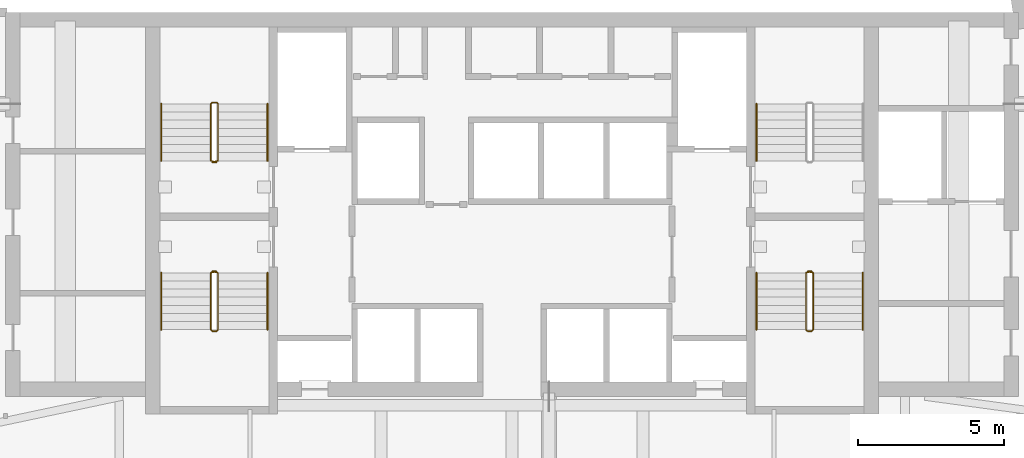
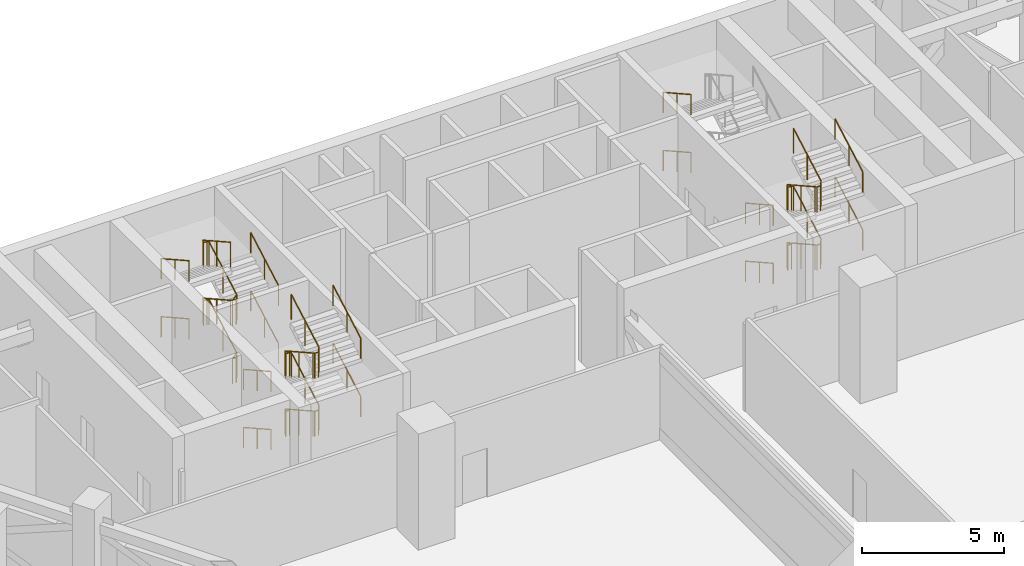
# One storey, part 19 of 20: 17 railings.
"""IFC4 building model written with IfcOpenShell, lengths in metres."""

from ifc_helpers import new_model, si_unit, direction, frame, origin, origin_2d, place, context, subcontext, project, spatial, circle, extrude, material, type_object, element, save


model = new_model("IFC4")

# Units and contexts
model_context = context("Model", 3, precision=1e-05, world=origin(), true_north=direction((0.0, 1.0)))
body_context = subcontext(model_context, "Body", "Model", "MODEL_VIEW")
ifc_project = project(units=[si_unit("LENGTHUNIT", "METRE"), si_unit("AREAUNIT", "SQUARE_METRE"), si_unit("VOLUMEUNIT", "CUBIC_METRE"), si_unit("PLANEANGLEUNIT", "RADIAN"), si_unit("MASSUNIT", "GRAM", prefix="KILO")], contexts=[model_context])

# Site, building, storey
site_placement = place(None, origin())
site = spatial("IfcSite", under=ifc_project, at=site_placement, CompositionType="ELEMENT")
building_placement = place(site_placement, origin())
building = spatial("IfcBuilding", under=site, at=building_placement, Name="Calabash Gate Tower", CompositionType="ELEMENT")
storey_placement = place(building_placement, frame((0.0, 0.0, 139.60009765625)))
storey = spatial("IfcBuildingStorey", under=building, at=storey_placement, Name="L32", CompositionType="ELEMENT", Elevation=139.60009765625)

# Railings
ifc_material_1 = material(Name="Black powder-coated steel balusters", Category="steel")
railing_type_1 = type_object("IfcRailingType", Name="Stair guard RL1100", PredefinedType="GUARDRAIL", material=ifc_material_1)
railing_1_placement = place(storey_placement, frame((-10.14990234375, 13.902587890625, 0.0)))
element("IfcRailing", 1, at=railing_1_placement, inside=storey, type_object=railing_type_1, Name="L32 ST1 stair guard 1", PredefinedType="GUARDRAIL", context=body_context, shape_type="SweptSolid", body=[
    extrude(circle(Radius=0.02392578125, at=origin_2d()), frame((0.0, 0.0, 1.076171875), z_axis=(-1.0, 0.0, 0.0), x_axis=(0.0, -1.0, 0.0)), (0.0, 0.0, 1.0), 0.150146484375),
    extrude(circle(Radius=0.02392578125, at=origin_2d()), frame((-0.150146484375, 0.0, 1.076171875), z_axis=(0.77305925043, 0.19350078918, 0.604100024756), x_axis=(-0.242814311512, 0.970072785993, 0.0)), (0.0, 0.0, 1.0), 0.258544921875),
    extrude(circle(Radius=0.02392578125, at=origin_2d()), frame((0.0498046875, 0.050048828125, 1.232421875), z_axis=(0.0, 0.872479975208, 0.48864986735), x_axis=(-1.0, 0.0, 0.0)), (0.0, 0.0, 1.0), 2.23828125),
    extrude(circle(Radius=0.02392578125, at=origin_2d()), frame((0.0498046875, 2.0029296875, 2.326171875), z_axis=(-0.705375805398, 0.708833529934, 0.0), x_axis=(-0.708833529934, -0.705375805398, 0.0)), (0.0, 0.0, 1.0), 0.070556640625),
    extrude(circle(Radius=0.02392578125, at=origin_2d()), frame((0.0, 2.052978515625, 2.326171875), z_axis=(-1.0, 0.0, 0.0), x_axis=(0.0, -1.0, 0.0)), (0.0, 0.0, 1.0), 0.150146484375),
    extrude(circle(Radius=0.02392578125, at=origin_2d()), frame((-0.150146484375, 2.052978515625, 2.326171875), z_axis=(-0.29177245553, -0.29177245553, 0.91089937336), x_axis=(0.707106781187, -0.707106781187, 0.0)), (0.0, 0.0, 1.0), 0.171630859375),
    extrude(circle(Radius=0.02392578125, at=origin_2d()), frame((-0.2001953125, 2.0029296875, 2.482421875), z_axis=(0.0, -0.872479975208, 0.48864986735), x_axis=(1.0, 0.0, 0.0)), (0.0, 0.0, 1.0), 2.23828125),
    extrude(circle(Radius=0.02392578125, at=origin_2d()), frame((-0.2001953125, 0.050048828125, 3.576171875), z_axis=(0.970142500145, -0.242535625036, 0.0), x_axis=(0.242535625036, 0.970142500145, 0.0)), (0.0, 0.0, 1.0), 0.206298828125),
    extrude(circle(Radius=0.02392578125, at=origin_2d()), frame((0.0, 0.0, 3.576171875), z_axis=(-1.0, 0.0, 0.0), x_axis=(0.0, -1.0, 0.0)), (0.0, 0.0, 1.0), 0.150146484375),
    extrude(circle(Radius=0.02392578125, at=origin_2d()), frame((-0.150146484375, 0.0, 3.576171875), z_axis=(0.77305925043, 0.19350078918, 0.604100024756), x_axis=(-0.242814311512, 0.970072785993, 0.0)), (0.0, 0.0, 1.0), 0.258544921875),
    extrude(circle(Radius=0.02392578125, at=origin_2d()), frame((0.0498046875, 0.050048828125, 3.732421875), z_axis=(0.0, 0.872479975208, 0.48864986735), x_axis=(-1.0, 0.0, 0.0)), (0.0, 0.0, 1.0), 2.23828125),
    extrude(circle(Radius=0.02392578125, at=origin_2d()), frame((0.0498046875, 2.0029296875, 4.826171875), z_axis=(-0.705375805398, 0.708833529934, 0.0), x_axis=(-0.708833529934, -0.705375805398, 0.0)), (0.0, 0.0, 1.0), 0.070556640625),
    extrude(circle(Radius=0.02392578125, at=origin_2d()), frame((0.0, 2.052978515625, 4.826171875), z_axis=(-1.0, 0.0, 0.0), x_axis=(0.0, -1.0, 0.0)), (0.0, 0.0, 1.0), 0.150146484375),
    extrude(circle(Radius=0.02392578125, at=origin_2d()), frame((-0.150146484375, 2.052978515625, 4.826171875), z_axis=(-0.29177245553, -0.29177245553, 0.91089937336), x_axis=(0.707106781187, -0.707106781187, 0.0)), (0.0, 0.0, 1.0), 0.171630859375),
    extrude(circle(Radius=0.02392578125, at=origin_2d()), frame((-0.2001953125, 2.0029296875, 4.982421875), z_axis=(0.0, -0.872479975208, 0.48864986735), x_axis=(1.0, 0.0, 0.0)), (0.0, 0.0, 1.0), 2.23828125),
    extrude(circle(Radius=0.02099609375, at=origin_2d()), origin(), (0.0, 0.0, 1.0), 1.052001953125),
    extrude(circle(Radius=0.02099609375, at=origin_2d()), frame((-0.150146484375, 0.0, 0.0)), (0.0, 0.0, 1.0), 1.052001953125),
    extrude(circle(Radius=0.02099609375, at=origin_2d()), frame((0.0498046875, 0.050048828125, 0.15625)), (0.0, 0.0, 1.0), 1.052001953125),
    extrude(circle(Radius=0.02099609375, at=origin_2d()), frame((0.0498046875, 1.0263671875, 0.703125)), (0.0, 0.0, 1.0), 1.052001953125),
    extrude(circle(Radius=0.02099609375, at=origin_2d()), frame((0.0498046875, 2.0029296875, 1.25)), (0.0, 0.0, 1.0), 1.052001953125),
    extrude(circle(Radius=0.02099609375, at=origin_2d()), frame((0.0, 2.052978515625, 1.25)), (0.0, 0.0, 1.0), 1.052001953125),
    extrude(circle(Radius=0.02099609375, at=origin_2d()), frame((-0.150146484375, 2.052978515625, 1.25)), (0.0, 0.0, 1.0), 1.052001953125),
    extrude(circle(Radius=0.02099609375, at=origin_2d()), frame((-0.2001953125, 2.0029296875, 1.40625)), (0.0, 0.0, 1.0), 1.052001953125),
    extrude(circle(Radius=0.02099609375, at=origin_2d()), frame((-0.2001953125, 1.0263671875, 1.953125)), (0.0, 0.0, 1.0), 1.052001953125),
    extrude(circle(Radius=0.02099609375, at=origin_2d()), frame((-0.2001953125, 0.050048828125, 2.5)), (0.0, 0.0, 1.0), 1.052001953125),
    extrude(circle(Radius=0.02099609375, at=origin_2d()), frame((0.0, 0.0, 2.5)), (0.0, 0.0, 1.0), 1.052001953125),
    extrude(circle(Radius=0.02099609375, at=origin_2d()), frame((-0.150146484375, 0.0, 2.5)), (0.0, 0.0, 1.0), 1.052001953125),
    extrude(circle(Radius=0.02099609375, at=origin_2d()), frame((0.0498046875, 0.050048828125, 2.65625)), (0.0, 0.0, 1.0), 1.052001953125),
    extrude(circle(Radius=0.02099609375, at=origin_2d()), frame((0.0498046875, 1.0263671875, 3.203125)), (0.0, 0.0, 1.0), 1.052001953125),
    extrude(circle(Radius=0.02099609375, at=origin_2d()), frame((0.0498046875, 2.0029296875, 3.75)), (0.0, 0.0, 1.0), 1.052001953125),
    extrude(circle(Radius=0.02099609375, at=origin_2d()), frame((0.0, 2.052978515625, 3.75)), (0.0, 0.0, 1.0), 1.052001953125),
    extrude(circle(Radius=0.02099609375, at=origin_2d()), frame((-0.150146484375, 2.052978515625, 3.75)), (0.0, 0.0, 1.0), 1.052001953125),
    extrude(circle(Radius=0.02099609375, at=origin_2d()), frame((-0.2001953125, 2.0029296875, 3.90625)), (0.0, 0.0, 1.0), 1.052001953125),
    extrude(circle(Radius=0.02099609375, at=origin_2d()), frame((-0.2001953125, 1.0263671875, 4.453125)), (0.0, 0.0, 1.0), 1.052001953125),
    extrude(circle(Radius=0.02099609375, at=origin_2d()), frame((-0.2001953125, 0.050048828125, 5.0)), (0.0, 0.0, 1.0), 1.052001953125),
])
railing_2_placement = place(storey_placement, frame((-10.300048828125, 10.152587890625, 0.0)))
element("IfcRailing", 2, at=railing_2_placement, inside=storey, type_object=railing_type_1, Name="L32 ST2 stair guard 1", PredefinedType="GUARDRAIL", context=body_context, shape_type="SweptSolid", body=[
    extrude(circle(Radius=0.02392578125, at=origin_2d()), frame((0.0, 0.0, 1.076171875), z_axis=(1.0, 0.0, 0.0), x_axis=(0.0, 1.0, 0.0)), (0.0, 0.0, 1.0), 0.150146484375),
    extrude(circle(Radius=0.02392578125, at=origin_2d()), frame((0.150146484375, 0.0, 1.076171875), z_axis=(-0.773438643492, -0.193359660873, 0.603659429067), x_axis=(0.242535625036, -0.970142500145, 0.0)), (0.0, 0.0, 1.0), 0.2587890625),
    extrude(circle(Radius=0.02392578125, at=origin_2d()), frame((-0.050048828125, -0.050048828125, 1.232421875), z_axis=(0.0, -0.872479975208, 0.48864986735), x_axis=(1.0, 0.0, 0.0)), (0.0, 0.0, 1.0), 2.23828125),
    extrude(circle(Radius=0.02392578125, at=origin_2d()), frame((-0.050048828125, -2.0029296875, 2.326171875), z_axis=(0.707106781187, -0.707106781187, 0.0), x_axis=(0.707106781187, 0.707106781187, 0.0)), (0.0, 0.0, 1.0), 0.07080078125),
    extrude(circle(Radius=0.02392578125, at=origin_2d()), frame((0.0, -2.052978515625, 2.326171875), z_axis=(1.0, 0.0, 0.0), x_axis=(0.0, 1.0, 0.0)), (0.0, 0.0, 1.0), 0.150146484375),
    extrude(circle(Radius=0.02392578125, at=origin_2d()), frame((0.150146484375, -2.052978515625, 2.326171875), z_axis=(0.290469530425, 0.291893400672, 0.911276958196), x_axis=(-0.708833529934, 0.705375805398, 0.0)), (0.0, 0.0, 1.0), 0.17138671875),
    extrude(circle(Radius=0.02392578125, at=origin_2d()), frame((0.199951171875, -2.0029296875, 2.482421875), z_axis=(0.0, 0.872479975208, 0.48864986735), x_axis=(-1.0, 0.0, 0.0)), (0.0, 0.0, 1.0), 2.23828125),
    extrude(circle(Radius=0.02392578125, at=origin_2d()), frame((0.199951171875, -0.050048828125, 3.576171875), z_axis=(-0.970072785993, 0.242814311512, 0.0), x_axis=(-0.242814311512, -0.970072785993, 0.0)), (0.0, 0.0, 1.0), 0.2060546875),
    extrude(circle(Radius=0.02392578125, at=origin_2d()), frame((0.0, 0.0, 3.576171875), z_axis=(1.0, 0.0, 0.0), x_axis=(0.0, 1.0, 0.0)), (0.0, 0.0, 1.0), 0.150146484375),
    extrude(circle(Radius=0.02392578125, at=origin_2d()), frame((0.150146484375, 0.0, 3.576171875), z_axis=(-0.773438643492, -0.193359660873, 0.603659429067), x_axis=(0.242535625036, -0.970142500145, 0.0)), (0.0, 0.0, 1.0), 0.2587890625),
    extrude(circle(Radius=0.02392578125, at=origin_2d()), frame((-0.050048828125, -0.050048828125, 3.732421875), z_axis=(0.0, -0.872479975208, 0.48864986735), x_axis=(1.0, 0.0, 0.0)), (0.0, 0.0, 1.0), 2.23828125),
    extrude(circle(Radius=0.02392578125, at=origin_2d()), frame((-0.050048828125, -2.0029296875, 4.826171875), z_axis=(0.707106781187, -0.707106781187, 0.0), x_axis=(0.707106781187, 0.707106781187, 0.0)), (0.0, 0.0, 1.0), 0.07080078125),
    extrude(circle(Radius=0.02392578125, at=origin_2d()), frame((0.0, -2.052978515625, 4.826171875), z_axis=(1.0, 0.0, 0.0), x_axis=(0.0, 1.0, 0.0)), (0.0, 0.0, 1.0), 0.150146484375),
    extrude(circle(Radius=0.02392578125, at=origin_2d()), frame((0.150146484375, -2.052978515625, 4.826171875), z_axis=(0.290469530425, 0.291893400672, 0.911276958196), x_axis=(-0.708833529934, 0.705375805398, 0.0)), (0.0, 0.0, 1.0), 0.17138671875),
    extrude(circle(Radius=0.02392578125, at=origin_2d()), frame((0.199951171875, -2.0029296875, 4.982421875), z_axis=(0.0, 0.872479975208, 0.48864986735), x_axis=(-1.0, 0.0, 0.0)), (0.0, 0.0, 1.0), 2.23828125),
    extrude(circle(Radius=0.02099609375, at=origin_2d()), origin(), (0.0, 0.0, 1.0), 1.052001953125),
    extrude(circle(Radius=0.02099609375, at=origin_2d()), frame((0.150146484375, 0.0, 0.0)), (0.0, 0.0, 1.0), 1.052001953125),
    extrude(circle(Radius=0.02099609375, at=origin_2d()), frame((-0.050048828125, -0.050048828125, 0.15625)), (0.0, 0.0, 1.0), 1.052001953125),
    extrude(circle(Radius=0.02099609375, at=origin_2d()), frame((-0.050048828125, -1.0263671875, 0.703125)), (0.0, 0.0, 1.0), 1.052001953125),
    extrude(circle(Radius=0.02099609375, at=origin_2d()), frame((-0.050048828125, -2.0029296875, 1.25)), (0.0, 0.0, 1.0), 1.052001953125),
    extrude(circle(Radius=0.02099609375, at=origin_2d()), frame((0.0, -2.052978515625, 1.25)), (0.0, 0.0, 1.0), 1.052001953125),
    extrude(circle(Radius=0.02099609375, at=origin_2d()), frame((0.150146484375, -2.052978515625, 1.25)), (0.0, 0.0, 1.0), 1.052001953125),
    extrude(circle(Radius=0.02099609375, at=origin_2d()), frame((0.199951171875, -2.0029296875, 1.40625)), (0.0, 0.0, 1.0), 1.052001953125),
    extrude(circle(Radius=0.02099609375, at=origin_2d()), frame((0.199951171875, -1.0263671875, 1.953125)), (0.0, 0.0, 1.0), 1.052001953125),
    extrude(circle(Radius=0.02099609375, at=origin_2d()), frame((0.199951171875, -0.050048828125, 2.5)), (0.0, 0.0, 1.0), 1.052001953125),
    extrude(circle(Radius=0.02099609375, at=origin_2d()), frame((0.0, 0.0, 2.5)), (0.0, 0.0, 1.0), 1.052001953125),
    extrude(circle(Radius=0.02099609375, at=origin_2d()), frame((0.150146484375, 0.0, 2.5)), (0.0, 0.0, 1.0), 1.052001953125),
    extrude(circle(Radius=0.02099609375, at=origin_2d()), frame((-0.050048828125, -0.050048828125, 2.65625)), (0.0, 0.0, 1.0), 1.052001953125),
    extrude(circle(Radius=0.02099609375, at=origin_2d()), frame((-0.050048828125, -1.0263671875, 3.203125)), (0.0, 0.0, 1.0), 1.052001953125),
    extrude(circle(Radius=0.02099609375, at=origin_2d()), frame((-0.050048828125, -2.0029296875, 3.75)), (0.0, 0.0, 1.0), 1.052001953125),
    extrude(circle(Radius=0.02099609375, at=origin_2d()), frame((0.0, -2.052978515625, 3.75)), (0.0, 0.0, 1.0), 1.052001953125),
    extrude(circle(Radius=0.02099609375, at=origin_2d()), frame((0.150146484375, -2.052978515625, 3.75)), (0.0, 0.0, 1.0), 1.052001953125),
    extrude(circle(Radius=0.02099609375, at=origin_2d()), frame((0.199951171875, -2.0029296875, 3.90625)), (0.0, 0.0, 1.0), 1.052001953125),
    extrude(circle(Radius=0.02099609375, at=origin_2d()), frame((0.199951171875, -1.0263671875, 4.453125)), (0.0, 0.0, 1.0), 1.052001953125),
    extrude(circle(Radius=0.02099609375, at=origin_2d()), frame((0.199951171875, -0.050048828125, 5.0)), (0.0, 0.0, 1.0), 1.052001953125),
])
railing_3_placement = place(storey_placement, frame((10.14990234375, 10.152587890625, 0.0)))
element("IfcRailing", 3, at=railing_3_placement, inside=storey, type_object=railing_type_1, Name="L32 ST4 stair guard 1", PredefinedType="GUARDRAIL", context=body_context, shape_type="SweptSolid", body=[
    extrude(circle(Radius=0.02392578125, at=origin_2d()), frame((0.0, 0.0, 1.076171875), z_axis=(1.0, 0.0, 0.0), x_axis=(0.0, 1.0, 0.0)), (0.0, 0.0, 1.0), 0.150146484375),
    extrude(circle(Radius=0.02392578125, at=origin_2d()), frame((0.150146484375, 0.0, 1.076171875), z_axis=(-0.77305925043, -0.19350078918, 0.604100024756), x_axis=(0.242814311512, -0.970072785993, 0.0)), (0.0, 0.0, 1.0), 0.258544921875),
    extrude(circle(Radius=0.02392578125, at=origin_2d()), frame((-0.0498046875, -0.050048828125, 1.232421875), z_axis=(0.0, -0.872479975208, 0.48864986735), x_axis=(1.0, 0.0, 0.0)), (0.0, 0.0, 1.0), 2.23828125),
    extrude(circle(Radius=0.02392578125, at=origin_2d()), frame((-0.0498046875, -2.0029296875, 2.326171875), z_axis=(0.705375805398, -0.708833529934, 0.0), x_axis=(0.708833529934, 0.705375805398, 0.0)), (0.0, 0.0, 1.0), 0.070556640625),
    extrude(circle(Radius=0.02392578125, at=origin_2d()), frame((0.0, -2.052978515625, 2.326171875), z_axis=(1.0, 0.0, 0.0), x_axis=(0.0, 1.0, 0.0)), (0.0, 0.0, 1.0), 0.150146484375),
    extrude(circle(Radius=0.02392578125, at=origin_2d()), frame((0.150146484375, -2.052978515625, 2.326171875), z_axis=(0.29177245553, 0.29177245553, 0.91089937336), x_axis=(-0.707106781187, 0.707106781187, 0.0)), (0.0, 0.0, 1.0), 0.171630859375),
    extrude(circle(Radius=0.02392578125, at=origin_2d()), frame((0.2001953125, -2.0029296875, 2.482421875), z_axis=(0.0, 0.872479975208, 0.48864986735), x_axis=(-1.0, 0.0, 0.0)), (0.0, 0.0, 1.0), 2.23828125),
    extrude(circle(Radius=0.02392578125, at=origin_2d()), frame((0.2001953125, -0.050048828125, 3.576171875), z_axis=(-0.970142500145, 0.242535625036, 0.0), x_axis=(-0.242535625036, -0.970142500145, 0.0)), (0.0, 0.0, 1.0), 0.206298828125),
    extrude(circle(Radius=0.02392578125, at=origin_2d()), frame((0.0, 0.0, 3.576171875), z_axis=(1.0, 0.0, 0.0), x_axis=(0.0, 1.0, 0.0)), (0.0, 0.0, 1.0), 0.150146484375),
    extrude(circle(Radius=0.02392578125, at=origin_2d()), frame((0.150146484375, 0.0, 3.576171875), z_axis=(-0.77305925043, -0.19350078918, 0.604100024756), x_axis=(0.242814311512, -0.970072785993, 0.0)), (0.0, 0.0, 1.0), 0.258544921875),
    extrude(circle(Radius=0.02392578125, at=origin_2d()), frame((-0.0498046875, -0.050048828125, 3.732421875), z_axis=(0.0, -0.872479975208, 0.48864986735), x_axis=(1.0, 0.0, 0.0)), (0.0, 0.0, 1.0), 2.23828125),
    extrude(circle(Radius=0.02392578125, at=origin_2d()), frame((-0.0498046875, -2.0029296875, 4.826171875), z_axis=(0.705375805398, -0.708833529934, 0.0), x_axis=(0.708833529934, 0.705375805398, 0.0)), (0.0, 0.0, 1.0), 0.070556640625),
    extrude(circle(Radius=0.02392578125, at=origin_2d()), frame((0.0, -2.052978515625, 4.826171875), z_axis=(1.0, 0.0, 0.0), x_axis=(0.0, 1.0, 0.0)), (0.0, 0.0, 1.0), 0.150146484375),
    extrude(circle(Radius=0.02392578125, at=origin_2d()), frame((0.150146484375, -2.052978515625, 4.826171875), z_axis=(0.29177245553, 0.29177245553, 0.91089937336), x_axis=(-0.707106781187, 0.707106781187, 0.0)), (0.0, 0.0, 1.0), 0.171630859375),
    extrude(circle(Radius=0.02392578125, at=origin_2d()), frame((0.2001953125, -2.0029296875, 4.982421875), z_axis=(0.0, 0.872479975208, 0.48864986735), x_axis=(-1.0, 0.0, 0.0)), (0.0, 0.0, 1.0), 2.23828125),
    extrude(circle(Radius=0.02099609375, at=origin_2d()), origin(), (0.0, 0.0, 1.0), 1.052001953125),
    extrude(circle(Radius=0.02099609375, at=origin_2d()), frame((0.150146484375, 0.0, 0.0)), (0.0, 0.0, 1.0), 1.052001953125),
    extrude(circle(Radius=0.02099609375, at=origin_2d()), frame((-0.0498046875, -0.050048828125, 0.15625)), (0.0, 0.0, 1.0), 1.052001953125),
    extrude(circle(Radius=0.02099609375, at=origin_2d()), frame((-0.0498046875, -1.0263671875, 0.703125)), (0.0, 0.0, 1.0), 1.052001953125),
    extrude(circle(Radius=0.02099609375, at=origin_2d()), frame((-0.0498046875, -2.0029296875, 1.25)), (0.0, 0.0, 1.0), 1.052001953125),
    extrude(circle(Radius=0.02099609375, at=origin_2d()), frame((0.0, -2.052978515625, 1.25)), (0.0, 0.0, 1.0), 1.052001953125),
    extrude(circle(Radius=0.02099609375, at=origin_2d()), frame((0.150146484375, -2.052978515625, 1.25)), (0.0, 0.0, 1.0), 1.052001953125),
    extrude(circle(Radius=0.02099609375, at=origin_2d()), frame((0.2001953125, -2.0029296875, 1.40625)), (0.0, 0.0, 1.0), 1.052001953125),
    extrude(circle(Radius=0.02099609375, at=origin_2d()), frame((0.2001953125, -1.0263671875, 1.953125)), (0.0, 0.0, 1.0), 1.052001953125),
    extrude(circle(Radius=0.02099609375, at=origin_2d()), frame((0.2001953125, -0.050048828125, 2.5)), (0.0, 0.0, 1.0), 1.052001953125),
    extrude(circle(Radius=0.02099609375, at=origin_2d()), frame((0.0, 0.0, 2.5)), (0.0, 0.0, 1.0), 1.052001953125),
    extrude(circle(Radius=0.02099609375, at=origin_2d()), frame((0.150146484375, 0.0, 2.5)), (0.0, 0.0, 1.0), 1.052001953125),
    extrude(circle(Radius=0.02099609375, at=origin_2d()), frame((-0.0498046875, -0.050048828125, 2.65625)), (0.0, 0.0, 1.0), 1.052001953125),
    extrude(circle(Radius=0.02099609375, at=origin_2d()), frame((-0.0498046875, -1.0263671875, 3.203125)), (0.0, 0.0, 1.0), 1.052001953125),
    extrude(circle(Radius=0.02099609375, at=origin_2d()), frame((-0.0498046875, -2.0029296875, 3.75)), (0.0, 0.0, 1.0), 1.052001953125),
    extrude(circle(Radius=0.02099609375, at=origin_2d()), frame((0.0, -2.052978515625, 3.75)), (0.0, 0.0, 1.0), 1.052001953125),
    extrude(circle(Radius=0.02099609375, at=origin_2d()), frame((0.150146484375, -2.052978515625, 3.75)), (0.0, 0.0, 1.0), 1.052001953125),
    extrude(circle(Radius=0.02099609375, at=origin_2d()), frame((0.2001953125, -2.0029296875, 3.90625)), (0.0, 0.0, 1.0), 1.052001953125),
    extrude(circle(Radius=0.02099609375, at=origin_2d()), frame((0.2001953125, -1.0263671875, 4.453125)), (0.0, 0.0, 1.0), 1.052001953125),
    extrude(circle(Radius=0.02099609375, at=origin_2d()), frame((0.2001953125, -0.050048828125, 5.0)), (0.0, 0.0, 1.0), 1.052001953125),
])
ifc_material_2 = material(Name="Black powder-coated steel tube 48 mm", Category="steel")
railing_type_2 = type_object("IfcRailingType", Name="Stair handrail RL900", PredefinedType="HANDRAIL", material=ifc_material_2)
railing_4_placement = place(storey_placement, frame((-8.39990234375, 13.95263671875, 0.15625)))
element("IfcRailing", 4, at=railing_4_placement, inside=storey, type_object=railing_type_2, Name="L32 ST1 stair handrail 1", PredefinedType="HANDRAIL", context=body_context, shape_type="SweptSolid", body=[
    extrude(circle(Radius=0.02392578125, at=origin_2d()), frame((0.0, 0.0, 0.8759765625), z_axis=(0.0, 0.872479975208, 0.48864986735), x_axis=(-1.0, 0.0, 0.0)), (0.0, 0.0, 1.0), 2.23828125),
    extrude(circle(Radius=0.02099609375, at=origin_2d()), origin(), (0.0, 0.0, 1.0), 0.851806640625),
    extrude(circle(Radius=0.02099609375, at=origin_2d()), frame((0.0, 0.9765625, 0.546875)), (0.0, 0.0, 1.0), 0.851806640625),
    extrude(circle(Radius=0.02099609375, at=origin_2d()), frame((0.0, 1.952880859375, 1.09375)), (0.0, 0.0, 1.0), 0.851806640625),
])
railing_5_placement = place(storey_placement, frame((-12.050048828125, 15.905517578125, 1.40625)))
element("IfcRailing", 5, at=railing_5_placement, inside=storey, type_object=railing_type_2, Name="L32 ST1 stair handrail 2", PredefinedType="HANDRAIL", context=body_context, shape_type="SweptSolid", body=[
    extrude(circle(Radius=0.02392578125, at=origin_2d()), frame((0.0, 0.0, 0.8759765625), z_axis=(0.0, -0.872479975208, 0.48864986735), x_axis=(1.0, 0.0, 0.0)), (0.0, 0.0, 1.0), 2.23828125),
    extrude(circle(Radius=0.02099609375, at=origin_2d()), origin(), (0.0, 0.0, 1.0), 0.851806640625),
    extrude(circle(Radius=0.02099609375, at=origin_2d()), frame((0.0, -0.9765625, 0.546875)), (0.0, 0.0, 1.0), 0.851806640625),
    extrude(circle(Radius=0.02099609375, at=origin_2d()), frame((0.0, -1.952880859375, 1.09375)), (0.0, 0.0, 1.0), 0.851806640625),
])
railing_6_placement = place(storey_placement, frame((-8.39990234375, 13.95263671875, 2.65625)))
element("IfcRailing", 6, at=railing_6_placement, inside=storey, type_object=railing_type_2, Name="L32 ST1 stair handrail 3", PredefinedType="HANDRAIL", context=body_context, shape_type="SweptSolid", body=[
    extrude(circle(Radius=0.02392578125, at=origin_2d()), frame((0.0, 0.0, 0.8759765625), z_axis=(0.0, 0.872479975208, 0.48864986735), x_axis=(-1.0, 0.0, 0.0)), (0.0, 0.0, 1.0), 2.23828125),
    extrude(circle(Radius=0.02099609375, at=origin_2d()), origin(), (0.0, 0.0, 1.0), 0.851806640625),
    extrude(circle(Radius=0.02099609375, at=origin_2d()), frame((0.0, 0.9765625, 0.546875)), (0.0, 0.0, 1.0), 0.851806640625),
    extrude(circle(Radius=0.02099609375, at=origin_2d()), frame((0.0, 1.952880859375, 1.09375)), (0.0, 0.0, 1.0), 0.851806640625),
])
for number, where, name in (
    (7, (-12.050048828125, 15.905517578125, 3.90625), "L32 ST1 stair handrail 4"),
    (8, (-12.050048828125, 10.1025390625, 0.15625), "L32 ST2 stair handrail 1"),
):
    element("IfcRailing", number, at=place(storey_placement, frame(where)), inside=storey, type_object=railing_type_2, Name=name, PredefinedType="HANDRAIL", context=body_context, shape_type="SweptSolid", body=[
        extrude(circle(Radius=0.02392578125, at=origin_2d()), frame((0.0, 0.0, 0.8759765625), z_axis=(0.0, -0.872479975208, 0.48864986735), x_axis=(1.0, 0.0, 0.0)), (0.0, 0.0, 1.0), 2.23828125),
        extrude(circle(Radius=0.02099609375, at=origin_2d()), origin(), (0.0, 0.0, 1.0), 0.851806640625),
        extrude(circle(Radius=0.02099609375, at=origin_2d()), frame((0.0, -0.9765625, 0.546875)), (0.0, 0.0, 1.0), 0.851806640625),
        extrude(circle(Radius=0.02099609375, at=origin_2d()), frame((0.0, -1.952880859375, 1.09375)), (0.0, 0.0, 1.0), 0.851806640625),
    ])
railing_7_placement = place(storey_placement, frame((-8.39990234375, 8.149658203125, 1.40625)))
element("IfcRailing", 9, at=railing_7_placement, inside=storey, type_object=railing_type_2, Name="L32 ST2 stair handrail 2", PredefinedType="HANDRAIL", context=body_context, shape_type="SweptSolid", body=[
    extrude(circle(Radius=0.02392578125, at=origin_2d()), frame((0.0, 0.0, 0.8759765625), z_axis=(0.0, 0.872479975208, 0.48864986735), x_axis=(-1.0, 0.0, 0.0)), (0.0, 0.0, 1.0), 2.23828125),
    extrude(circle(Radius=0.02099609375, at=origin_2d()), origin(), (0.0, 0.0, 1.0), 0.851806640625),
    extrude(circle(Radius=0.02099609375, at=origin_2d()), frame((0.0, 0.9765625, 0.546875)), (0.0, 0.0, 1.0), 0.851806640625),
    extrude(circle(Radius=0.02099609375, at=origin_2d()), frame((0.0, 1.952880859375, 1.09375)), (0.0, 0.0, 1.0), 0.851806640625),
])
railing_8_placement = place(storey_placement, frame((-12.050048828125, 10.1025390625, 2.65625)))
element("IfcRailing", 10, at=railing_8_placement, inside=storey, type_object=railing_type_2, Name="L32 ST2 stair handrail 3", PredefinedType="HANDRAIL", context=body_context, shape_type="SweptSolid", body=[
    extrude(circle(Radius=0.02392578125, at=origin_2d()), frame((0.0, 0.0, 0.8759765625), z_axis=(0.0, -0.872479975208, 0.48864986735), x_axis=(1.0, 0.0, 0.0)), (0.0, 0.0, 1.0), 2.23828125),
    extrude(circle(Radius=0.02099609375, at=origin_2d()), origin(), (0.0, 0.0, 1.0), 0.851806640625),
    extrude(circle(Radius=0.02099609375, at=origin_2d()), frame((0.0, -0.9765625, 0.546875)), (0.0, 0.0, 1.0), 0.851806640625),
    extrude(circle(Radius=0.02099609375, at=origin_2d()), frame((0.0, -1.952880859375, 1.09375)), (0.0, 0.0, 1.0), 0.851806640625),
])
railing_9_placement = place(storey_placement, frame((-8.39990234375, 8.149658203125, 3.90625)))
element("IfcRailing", 11, at=railing_9_placement, inside=storey, type_object=railing_type_2, Name="L32 ST2 stair handrail 4", PredefinedType="HANDRAIL", context=body_context, shape_type="SweptSolid", body=[
    extrude(circle(Radius=0.02392578125, at=origin_2d()), frame((0.0, 0.0, 0.8759765625), z_axis=(0.0, 0.872479975208, 0.48864986735), x_axis=(-1.0, 0.0, 0.0)), (0.0, 0.0, 1.0), 2.23828125),
    extrude(circle(Radius=0.02099609375, at=origin_2d()), origin(), (0.0, 0.0, 1.0), 0.851806640625),
    extrude(circle(Radius=0.02099609375, at=origin_2d()), frame((0.0, 0.9765625, 0.546875)), (0.0, 0.0, 1.0), 0.851806640625),
    extrude(circle(Radius=0.02099609375, at=origin_2d()), frame((0.0, 1.952880859375, 1.09375)), (0.0, 0.0, 1.0), 0.851806640625),
])
for number, where, name in (
    (12, (8.39990234375, 15.905517578125, 1.40625), "L32 ST3 stair handrail 2"),
    (13, (8.39990234375, 15.905517578125, 3.90625), "L32 ST3 stair handrail 4"),
    (14, (8.39990234375, 10.1025390625, 0.15625), "L32 ST4 stair handrail 1"),
):
    element("IfcRailing", number, at=place(storey_placement, frame(where)), inside=storey, type_object=railing_type_2, Name=name, PredefinedType="HANDRAIL", context=body_context, shape_type="SweptSolid", body=[
        extrude(circle(Radius=0.02392578125, at=origin_2d()), frame((0.0, 0.0, 0.8759765625), z_axis=(0.0, -0.872479975208, 0.48864986735), x_axis=(1.0, 0.0, 0.0)), (0.0, 0.0, 1.0), 2.23828125),
        extrude(circle(Radius=0.02099609375, at=origin_2d()), origin(), (0.0, 0.0, 1.0), 0.851806640625),
        extrude(circle(Radius=0.02099609375, at=origin_2d()), frame((0.0, -0.9765625, 0.546875)), (0.0, 0.0, 1.0), 0.851806640625),
        extrude(circle(Radius=0.02099609375, at=origin_2d()), frame((0.0, -1.952880859375, 1.09375)), (0.0, 0.0, 1.0), 0.851806640625),
    ])
railing_10_placement = place(storey_placement, frame((12.050048828125, 8.149658203125, 1.40625)))
element("IfcRailing", 15, at=railing_10_placement, inside=storey, type_object=railing_type_2, Name="L32 ST4 stair handrail 2", PredefinedType="HANDRAIL", context=body_context, shape_type="SweptSolid", body=[
    extrude(circle(Radius=0.02392578125, at=origin_2d()), frame((0.0, 0.0, 0.8759765625), z_axis=(0.0, 0.872479975208, 0.48864986735), x_axis=(-1.0, 0.0, 0.0)), (0.0, 0.0, 1.0), 2.23828125),
    extrude(circle(Radius=0.02099609375, at=origin_2d()), origin(), (0.0, 0.0, 1.0), 0.851806640625),
    extrude(circle(Radius=0.02099609375, at=origin_2d()), frame((0.0, 0.9765625, 0.546875)), (0.0, 0.0, 1.0), 0.851806640625),
    extrude(circle(Radius=0.02099609375, at=origin_2d()), frame((0.0, 1.952880859375, 1.09375)), (0.0, 0.0, 1.0), 0.851806640625),
])
railing_11_placement = place(storey_placement, frame((8.39990234375, 10.1025390625, 2.65625)))
element("IfcRailing", 16, at=railing_11_placement, inside=storey, type_object=railing_type_2, Name="L32 ST4 stair handrail 3", PredefinedType="HANDRAIL", context=body_context, shape_type="SweptSolid", body=[
    extrude(circle(Radius=0.02392578125, at=origin_2d()), frame((0.0, 0.0, 0.8759765625), z_axis=(0.0, -0.872479975208, 0.48864986735), x_axis=(1.0, 0.0, 0.0)), (0.0, 0.0, 1.0), 2.23828125),
    extrude(circle(Radius=0.02099609375, at=origin_2d()), origin(), (0.0, 0.0, 1.0), 0.851806640625),
    extrude(circle(Radius=0.02099609375, at=origin_2d()), frame((0.0, -0.9765625, 0.546875)), (0.0, 0.0, 1.0), 0.851806640625),
    extrude(circle(Radius=0.02099609375, at=origin_2d()), frame((0.0, -1.952880859375, 1.09375)), (0.0, 0.0, 1.0), 0.851806640625),
])
railing_12_placement = place(storey_placement, frame((12.050048828125, 8.149658203125, 3.90625)))
element("IfcRailing", 17, at=railing_12_placement, inside=storey, type_object=railing_type_2, Name="L32 ST4 stair handrail 4", PredefinedType="HANDRAIL", context=body_context, shape_type="SweptSolid", body=[
    extrude(circle(Radius=0.02392578125, at=origin_2d()), frame((0.0, 0.0, 0.8759765625), z_axis=(0.0, 0.872479975208, 0.48864986735), x_axis=(-1.0, 0.0, 0.0)), (0.0, 0.0, 1.0), 2.23828125),
    extrude(circle(Radius=0.02099609375, at=origin_2d()), origin(), (0.0, 0.0, 1.0), 0.851806640625),
    extrude(circle(Radius=0.02099609375, at=origin_2d()), frame((0.0, 0.9765625, 0.546875)), (0.0, 0.0, 1.0), 0.851806640625),
    extrude(circle(Radius=0.02099609375, at=origin_2d()), frame((0.0, 1.952880859375, 1.09375)), (0.0, 0.0, 1.0), 0.851806640625),
])

save(model, "model.ifc")
